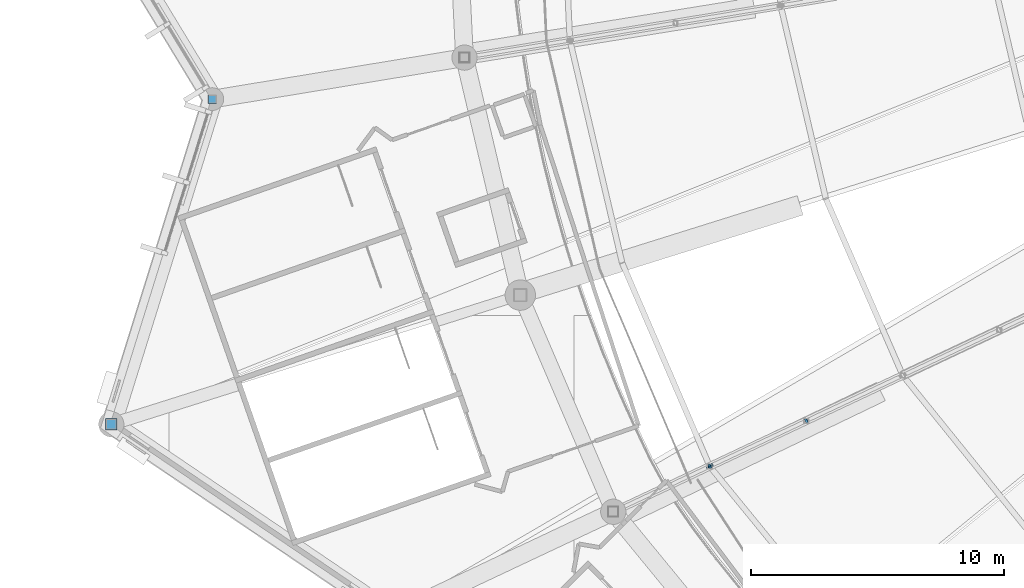
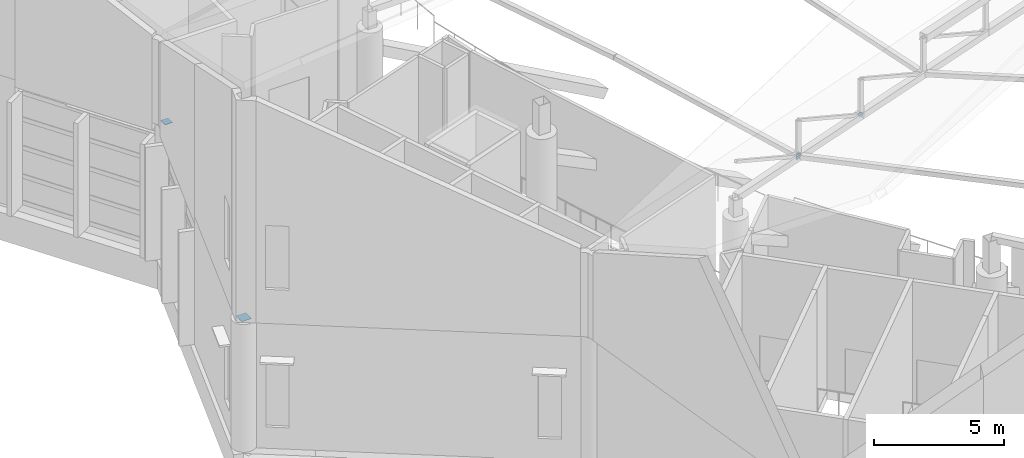
# One storey, part 278 of 344: 6 discrete accessories.
"""IFC4 building model written with IfcOpenShell, lengths in metres."""

import ifcopenshell
import ifcopenshell.guid

model = None  # the IFC model being written
_history = None  # IfcOwnerHistory: only IFC2X3 demands one
_inside = {}  # id of a spatial element -> (the spatial element, [elements in it])
_under = {}  # id of a project, library or spatial element -> (it, [spatial elements below it])
_declared = {}  # id of a project -> (the project, [libraries it declares])
_typed = {}  # id of a type object -> (the type object, [elements of that type])
_made_of = {}  # id of a material, layer set ... -> (it, [elements and type objects made of it])


def new_model(schema):
    """Start an empty IFC model of exactly this schema.

    Asked for "IFC4X3", IfcOpenShell would pick the latest addendum, in which some entities
    have other attributes; the version numbers below select the first issue.
    IFC2X3 requires an IfcOwnerHistory on every rooted entity: one is made here for all.
    """
    global model, _history
    if schema == "IFC4X3":
        model = ifcopenshell.file(schema_version=(4, 3, 0, 0))
    else:
        model = ifcopenshell.file(schema=schema)
    _inside.clear()
    _under.clear()
    _declared.clear()
    _typed.clear()
    _made_of.clear()
    _history = None
    if model.schema == "IFC2X3":
        org = make("IfcOrganization", Name="unknown")
        user = make(
            "IfcPersonAndOrganization",
            ThePerson=make("IfcPerson", FamilyName="unknown"),
            TheOrganization=org,
        )
        app = make(
            "IfcApplication",
            ApplicationDeveloper=org,
            Version="unknown",
            ApplicationFullName="unknown",
            ApplicationIdentifier="unknown",
        )
        _history = make(
            "IfcOwnerHistory",
            OwningUser=user,
            OwningApplication=app,
            ChangeAction="ADDED",
            CreationDate=0,
        )
    return model


def make(cls, **values):
    """One entity of the class cls with the attributes given. An attribute that is None is left unset."""
    return model.create_entity(
        cls, **{name: value for name, value in values.items() if value is not None}
    )


def rooted(cls, **values):
    """An entity with a GlobalId (a new one), such as an element, a storey or a relation."""
    return make(cls, GlobalId=ifcopenshell.guid.new(), OwnerHistory=_history, **values)


def si_unit(unit_type, name, prefix=None):
    """IfcSIUnit, for example si_unit("LENGTHUNIT", "METRE", prefix="MILLI")."""
    return make("IfcSIUnit", UnitType=unit_type, Prefix=prefix, Name=name)


def assignment(units):
    """IfcUnitAssignment: the units of a project."""
    return None if units is None else make("IfcUnitAssignment", Units=units)


def point(xyz):
    """IfcCartesianPoint."""
    return None if xyz is None else make("IfcCartesianPoint", Coordinates=xyz)


def direction(xyz):
    """IfcDirection."""
    return None if xyz is None else make("IfcDirection", DirectionRatios=xyz)


def frame(location, z_axis=None, x_axis=None):
    """IfcAxis2Placement3D, a coordinate frame: its origin and axes. An axis left out is left unset."""
    return make(
        "IfcAxis2Placement3D",
        Location=point(location),
        Axis=direction(z_axis),
        RefDirection=direction(x_axis),
    )


def frame_2d(location, x_axis=None):
    """IfcAxis2Placement2D, a coordinate frame in the plane: its origin and x axis."""
    return make(
        "IfcAxis2Placement2D", Location=point(location), RefDirection=direction(x_axis)
    )


def origin():
    """The frame at (0, 0, 0) with its axes left unset."""
    return frame((0.0, 0.0, 0.0))


def origin_2d():
    """The frame at (0, 0) in the plane with its x axis left unset."""
    return frame_2d((0.0, 0.0))


def place(relative_to, where):
    """IfcLocalPlacement: puts the frame where relative to a parent placement (None: the world)."""
    return make(
        "IfcLocalPlacement", PlacementRelTo=relative_to, RelativePlacement=where
    )


def context(
    kind, dimensions, precision=None, world=None, true_north=None, identifier=None
):
    """IfcGeometricRepresentationContext, for example the 3D "Model" context."""
    return make(
        "IfcGeometricRepresentationContext",
        ContextIdentifier=identifier,
        ContextType=kind,
        CoordinateSpaceDimension=dimensions,
        Precision=precision,
        WorldCoordinateSystem=world,
        TrueNorth=true_north,
    )


def subcontext(parent, identifier, kind, view, scale=None):
    """IfcGeometricRepresentationSubContext, for example "Body" below "Model"."""
    return make(
        "IfcGeometricRepresentationSubContext",
        ContextIdentifier=identifier,
        ContextType=kind,
        ParentContext=parent,
        TargetScale=scale,
        TargetView=view,
    )


def project(units=None, contexts=None):
    """IfcProject with its units and contexts."""
    return rooted(
        "IfcProject",
        Name="project",
        RepresentationContexts=contexts,
        UnitsInContext=assignment(units),
    )


def spatial(cls, under=None, at=None, **own):
    """A site, building, storey or space (cls), placed at a placement, below another one or the project."""
    s = rooted(cls, ObjectPlacement=at, **own)
    if under is not None:
        _under.setdefault(under.id(), (under, []))[1].append(s)
    return s


def profile(cls, at=None, kind="AREA", **sizes):
    """A parametric profile (cls). Its sizes go by their IFC names, for example OverallWidth=200.0."""
    return make(cls, ProfileType=kind, Position=at, **sizes)


def rectangle(**sizes):
    """IfcRectangleProfileDef."""
    return profile("IfcRectangleProfileDef", **sizes)


def extrude(swept, where, along, depth):
    """IfcExtrudedAreaSolid: the profile swept, set in the frame where, extruded along a direction by depth."""
    return make(
        "IfcExtrudedAreaSolid",
        SweptArea=swept,
        Position=where,
        ExtrudedDirection=direction(along),
        Depth=depth,
    )


def shape(context_of_items, identifier, shape_type, items):
    """IfcShapeRepresentation: the items that make up one representation, for example the "Body"."""
    return make(
        "IfcShapeRepresentation",
        ContextOfItems=context_of_items,
        RepresentationIdentifier=identifier,
        RepresentationType=shape_type,
        Items=items,
    )


def material(Name=None, Category=None):
    """IfcMaterial."""
    return make("IfcMaterial", Name=Name, Category=Category)


def material_profile(
    of_material, cross_section, Name=None, Category=None, Priority=None
):
    """IfcMaterialProfile: a cross section and its material."""
    return make(
        "IfcMaterialProfile",
        Name=Name,
        Material=of_material,
        Profile=cross_section,
        Priority=Priority,
        Category=Category,
    )


def profile_set(profiles, Name=None, composite=None):
    """IfcMaterialProfileSet."""
    return make(
        "IfcMaterialProfileSet",
        Name=Name,
        MaterialProfiles=profiles,
        CompositeProfile=composite,
    )


def made_of(thing, what):
    """Note that an element or type object is made of a material, layer set ...; save() writes the relation."""
    if what is not None:
        _made_of.setdefault(what.id(), (what, []))[1].append(thing)
    return thing


def type_object(cls, material=None, **own):
    """A type object (cls), such as IfcWallType, which elements share."""
    return made_of(rooted(cls, **own), material)


def element(
    cls,
    number,
    at=None,
    inside=None,
    cuts=None,
    type_object=None,
    material=None,
    context=None,
    identifier="Body",
    shape_type=None,
    held_by="IfcProductDefinitionShape",
    body=None,
    shapes=None,
    **own,
):
    """One element of the class cls, such as IfcWall. Its Tag is "e" and its number.

    at: its placement. inside: the storey or other place that contains it. cuts: it is an
    opening in that element (IfcRelVoidsElement). A single representation is given by context,
    identifier, shape_type and body (its items); several are given by shapes. held_by: the class
    of the entity that holds the representations. save() writes the other relations.
    """
    e = rooted(cls, Tag="e%d" % number, ObjectPlacement=at, **own)
    if body is not None:
        shapes = [shape(context, identifier, shape_type, body)]
    if shapes is not None:
        e.Representation = make(held_by, Representations=shapes)
    if inside is not None:
        _inside.setdefault(inside.id(), (inside, []))[1].append(e)
    if cuts is not None:
        rooted(
            "IfcRelVoidsElement", RelatingBuildingElement=cuts, RelatedOpeningElement=e
        )
    if type_object is not None:
        _typed.setdefault(type_object.id(), (type_object, []))[1].append(e)
    return made_of(e, material)


def aggregate(whole, parts):
    """IfcRelAggregates: a whole, such as a stair, and the parts it consists of."""
    return rooted("IfcRelAggregates", RelatingObject=whole, RelatedObjects=parts)


def save(model, path):
    """Write the relations noted so far, then the file.

    IfcRelAggregates (storeys below a building ...), IfcRelContainedInSpatialStructure (elements
    in a storey), IfcRelDefinesByType, IfcRelAssociatesMaterial and IfcRelDeclares: one each for
    every whole, place, type object, material and project.
    """
    for whole, parts in _under.values():
        aggregate(whole, parts)
    for where, things in _inside.values():
        rooted(
            "IfcRelContainedInSpatialStructure",
            RelatedElements=things,
            RelatingStructure=where,
        )
    for kind, things in _typed.values():
        rooted("IfcRelDefinesByType", RelatedObjects=things, RelatingType=kind)
    for what, things in _made_of.values():
        rooted("IfcRelAssociatesMaterial", RelatedObjects=things, RelatingMaterial=what)
    for by, libraries in _declared.values():
        rooted("IfcRelDeclares", RelatingContext=by, RelatedDefinitions=libraries)
    model.write(path)


model = new_model("IFC4")

# Units and contexts
model_context = context("Model", 3, precision=1e-05, world=origin(), true_north=direction((0.0, 1.0)))
body_context = subcontext(model_context, "Body", "Model", "MODEL_VIEW")
ifc_project = project(units=[si_unit("LENGTHUNIT", "METRE"), si_unit("AREAUNIT", "SQUARE_METRE"), si_unit("VOLUMEUNIT", "CUBIC_METRE"), si_unit("PLANEANGLEUNIT", "RADIAN"), si_unit("MASSUNIT", "GRAM", prefix="KILO")], contexts=[model_context])

# Site, building, storey
site_placement = place(None, origin())
site = spatial("IfcSite", under=ifc_project, at=site_placement, CompositionType="ELEMENT")
building_placement = place(site_placement, origin())
building = spatial("IfcBuilding", under=site, at=building_placement, Name="Meseta Stadium", CompositionType="ELEMENT")
storey_placement = place(building_placement, frame((0.0, 0.0, 24.0)))
storey = spatial("IfcBuildingStorey", under=building, at=storey_placement, Name="L04", CompositionType="ELEMENT", Elevation=24.0)

# Discrete accessories
ifc_material_1 = material(Name="Steel S355", Category="steel")
ifc_material_profile_1 = material_profile(ifc_material_1, rectangle(XDim=0.179931640625, YDim=0.179931640625, at=origin_2d()), Name="PL 180x180")
ifc_profile_set_1 = profile_set([ifc_material_profile_1], Name="Steel S355")
discrete_accessory_type_1 = type_object("IfcDiscreteAccessoryType", Name="End plate 180x180x20", PredefinedType="ANCHORPLATE", material=ifc_profile_set_1)
for number, where, z_axis, x_axis, name in (
    (1, (-70.798828125, -68.154052734375, 5.802490234375), (-0.807162077407, -0.379121581812, 0.452499952486), (0.425136471467, -0.905129261834, 0.0), "End plate of ROOF TRUSS RT-39 diagonal"),
    (2, (-74.614013671875, -69.951171875, 6.289306640625), (-0.802672654344, -0.377012913404, 0.462144861592), (0.425136471467, -0.905129261834, 0.0), "End plate of ROOF TRUSS RT-39 diagonal"),
):
    element("IfcDiscreteAccessory", number, at=place(storey_placement, frame(where, z_axis=z_axis, x_axis=x_axis)), inside=storey, type_object=discrete_accessory_type_1, Name=name, PredefinedType="ANCHORPLATE", context=body_context, shape_type="SweptSolid", body=[
        extrude(rectangle(XDim=0.179931640625, YDim=0.179931640625, at=origin_2d()), origin(), (0.0, 0.0, 1.0), 0.02001953125),
    ])
ifc_material_2 = material(Name="Steel S355", Category="steel")
ifc_material_profile_2 = material_profile(ifc_material_2, rectangle(XDim=0.260009765625, YDim=0.260009765625, at=origin_2d()), Name="PL 260x260")
ifc_profile_set_2 = profile_set([ifc_material_profile_2], Name="Steel S355")
discrete_accessory_type_2 = type_object("IfcDiscreteAccessoryType", Name="End plate 260x260x20", PredefinedType="ANCHORPLATE", material=ifc_profile_set_2)
for number, where, z_axis, x_axis, name in (
    (3, (-74.630126953125, -69.958740234375, 6.298583984375), (0.390069906487, -0.914226343328, -0.109707161199), (0.919778168081, 0.392438685048, 0.0), "End plate of ROOF TRUSS STRUT RT-38/39"),
    (4, (-74.642822265625, -69.943359375, 6.29638671875), (0.632736394544, -0.766584478005, 0.109512068286), (0.771223025002, 0.63656503651, 0.0), "End plate of ROOF TRUSS STRUT RT-39/40"),
):
    element("IfcDiscreteAccessory", number, at=place(storey_placement, frame(where, z_axis=z_axis, x_axis=x_axis)), inside=storey, type_object=discrete_accessory_type_2, Name=name, PredefinedType="ANCHORPLATE", context=body_context, shape_type="SweptSolid", body=[
        extrude(rectangle(XDim=0.260009765625, YDim=0.260009765625, at=origin_2d()), origin(), (0.0, 0.0, 1.0), 0.02001953125),
    ])
ifc_material_3 = material(Name="Steel S355", Category="steel")
ifc_material_profile_3 = material_profile(ifc_material_3, rectangle(XDim=0.340087890625, YDim=0.340087890625, at=origin_2d()), Name="PL 340x340")
ifc_profile_set_3 = profile_set([ifc_material_profile_3], Name="Steel S355")
discrete_accessory_type_3 = type_object("IfcDiscreteAccessoryType", Name="End plate 340x340x20", PredefinedType="ANCHORPLATE", material=ifc_profile_set_3)
discrete_accessory_1_placement = place(storey_placement, frame((-94.29443359375, -55.44140625, 5.97998046875), z_axis=(0.0, 0.0, 1.0), x_axis=(1.0, 0.0, 0.0)))
element("IfcDiscreteAccessory", 5, at=discrete_accessory_1_placement, inside=storey, type_object=discrete_accessory_type_3, Name="End plate of ROOF RIM POST RT-37", PredefinedType="ANCHORPLATE", context=body_context, shape_type="SweptSolid", body=[
    extrude(rectangle(XDim=0.340087890625, YDim=0.340087890625, at=origin_2d()), origin(), (0.0, 0.0, 1.0), 0.02001953125),
])
ifc_material_4 = material(Name="Steel S355", Category="steel")
ifc_material_profile_4 = material_profile(ifc_material_4, rectangle(XDim=0.43994140625, YDim=0.43994140625, at=origin_2d()), Name="PL 440x440")
ifc_profile_set_4 = profile_set([ifc_material_profile_4], Name="Steel S355")
discrete_accessory_type_4 = type_object("IfcDiscreteAccessoryType", Name="End plate 440x440x20", PredefinedType="ANCHORPLATE", material=ifc_profile_set_4)
discrete_accessory_2_placement = place(storey_placement, frame((-98.291015625, -68.29736328125, 5.97998046875), z_axis=(0.0, 0.0, 1.0), x_axis=(1.0, 0.0, 0.0)))
element("IfcDiscreteAccessory", 6, at=discrete_accessory_2_placement, inside=storey, type_object=discrete_accessory_type_4, Name="End plate of ROOF RIM POST RT-38", PredefinedType="ANCHORPLATE", context=body_context, shape_type="SweptSolid", body=[
    extrude(rectangle(XDim=0.43994140625, YDim=0.43994140625, at=origin_2d()), origin(), (0.0, 0.0, 1.0), 0.02001953125),
])

save(model, "model.ifc")
